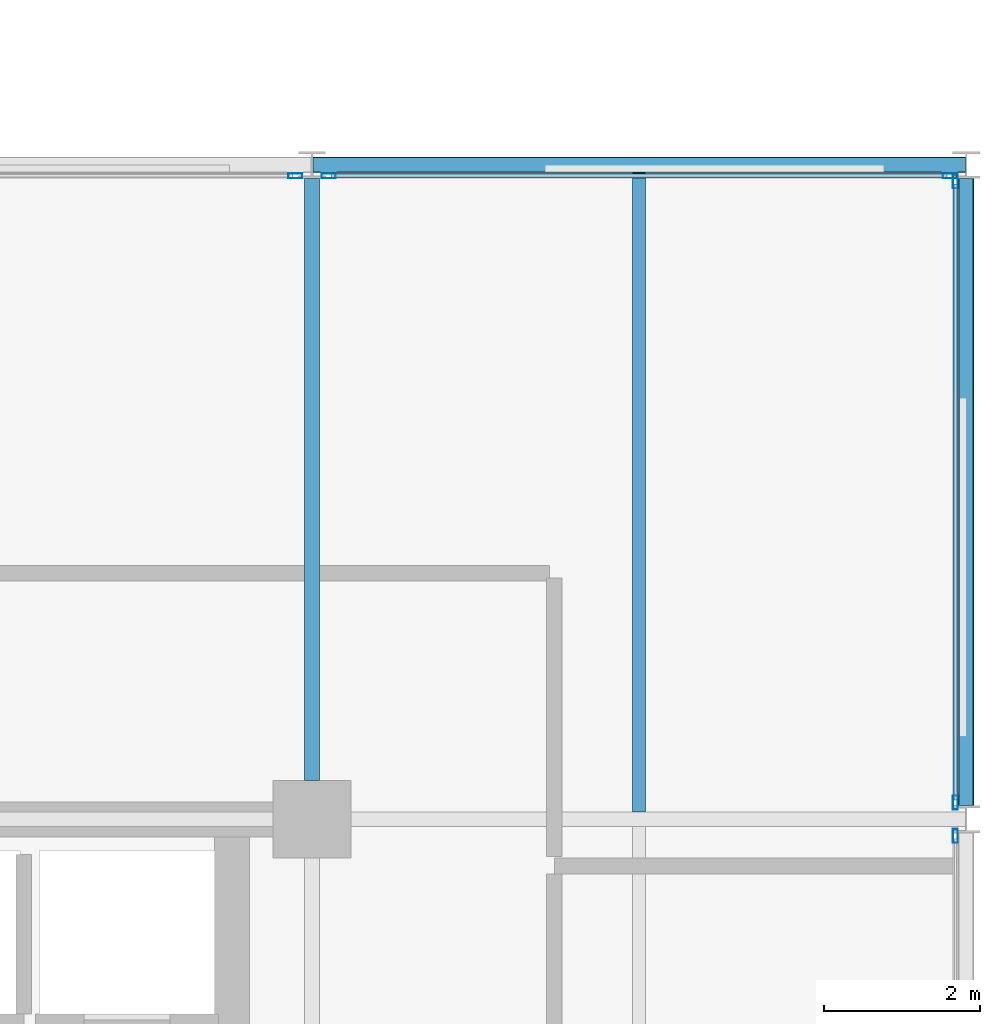
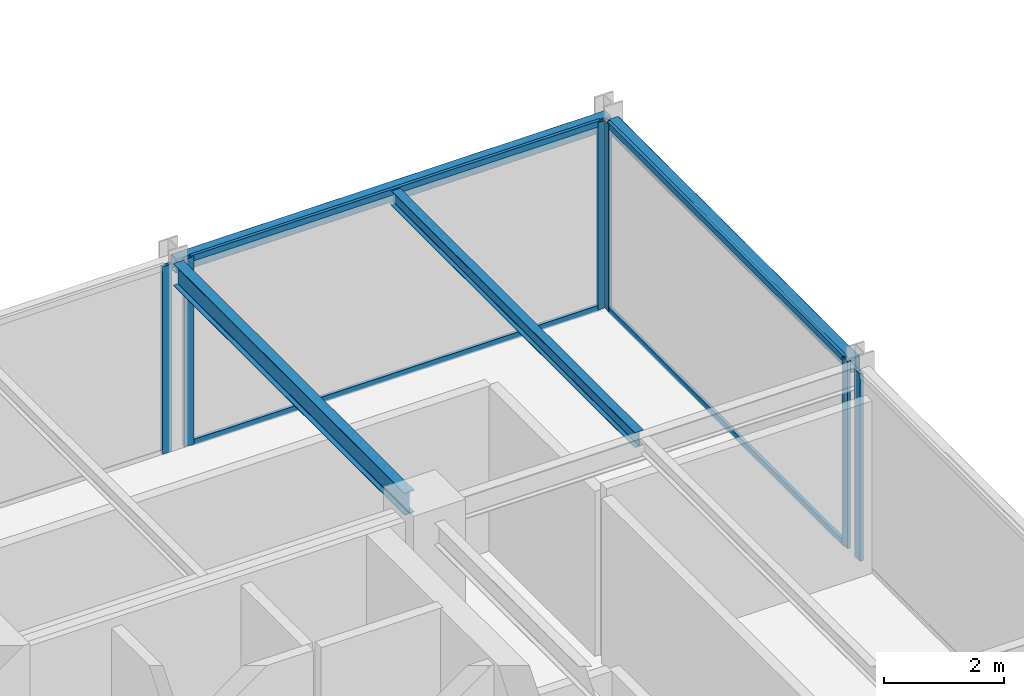
# One storey, part 15 of 25: 10 members, 4 beams, 4 elements without a shape of their own.
"""IFC4 building model written with IfcOpenShell, lengths in metres."""

from ifc_helpers import new_model, si_unit, direction, frame, origin, origin_2d, place, context, subcontext, project, spatial, hollow_rectangle, i_section, extrude, material, layer, layer_set, material_profile, profile_set, type_object, element, aggregate, save


model = new_model("IFC4")

# Units and contexts
model_context = context("Model", 3, precision=1e-05, world=origin(), true_north=direction((0.0, 1.0)))
body_context = subcontext(model_context, "Body", "Model", "MODEL_VIEW")
ifc_project = project(units=[si_unit("LENGTHUNIT", "METRE"), si_unit("AREAUNIT", "SQUARE_METRE"), si_unit("VOLUMEUNIT", "CUBIC_METRE"), si_unit("PLANEANGLEUNIT", "RADIAN"), si_unit("MASSUNIT", "GRAM", prefix="KILO")], contexts=[model_context])

# Site, building, storey
site_placement = place(None, origin())
site = spatial("IfcSite", under=ifc_project, at=site_placement, CompositionType="ELEMENT")
building_placement = place(site_placement, origin())
building = spatial("IfcBuilding", under=site, at=building_placement, Name="Nerrivon Quay Data Exchange", CompositionType="ELEMENT")
storey_placement = place(building_placement, frame((0.0, 0.0, 224.699951171875)))
storey = spatial("IfcBuildingStorey", under=building, at=storey_placement, Name="L53", CompositionType="ELEMENT", Elevation=224.699951171875)

# Beams
ifc_material_1 = material(Name="Steel Grade 350", Category="steel")
ifc_material_profile_1 = material_profile(ifc_material_1, i_section(OverallWidth=0.18994140625, OverallDepth=0.4541015625, WebThickness=0.008544921875, FlangeThickness=0.0126953125, FilletRadius=0.011474609375, at=origin_2d()), Name="460UB67.1")
ifc_profile_set_1 = profile_set([ifc_material_profile_1], Name="Steel Grade 350")
beam_type_1 = type_object("IfcBeamType", Name="BM-G6-460UB67", PredefinedType="BEAM", material=ifc_profile_set_1)
beam_1_placement = place(storey_placement, frame((33.60009765625, 17.300048828125, 3.59814453125), z_axis=(0.0, 1.0, 0.0), x_axis=(-1.0, 0.0, 0.0)))
element("IfcBeam", 1, at=beam_1_placement, inside=storey, type_object=beam_type_1, Name="L53 NS Girder X=33.6 (16.8..25.2)", PredefinedType="BEAM", context=body_context, shape_type="SweptSolid", body=[
    extrude(i_section(OverallWidth=0.18994140625, OverallDepth=0.4541015625, WebThickness=0.008544921875, FlangeThickness=0.0126953125, FilletRadius=0.011474609375, at=origin_2d()), origin(), (0.0, 0.0, 1.0), 7.724853515625),
])
ifc_material_profile_2 = material_profile(ifc_material_1, i_section(OverallWidth=0.166015625, OverallDepth=0.306884765625, WebThickness=0.006591796875, FlangeThickness=0.01171875, FilletRadius=0.011474609375, at=origin_2d()), Name="310UB46.2")
ifc_profile_set_2 = profile_set([ifc_material_profile_2], Name="Steel Grade 350")
beam_type_2 = type_object("IfcBeamType", Name="BM-J5-310UB46", PredefinedType="JOIST", material=ifc_profile_set_2)
beam_2_placement = place(storey_placement, frame((37.800048828125, 16.8955078125, 3.671630859375), z_axis=(0.0, 1.0, 0.0), x_axis=(-1.0, 0.0, 0.0)))
element("IfcBeam", 2, at=beam_2_placement, inside=storey, type_object=beam_type_2, Name="L53 Secondary Joist X=37.8 (16.8..25.2)", PredefinedType="JOIST", context=body_context, shape_type="SweptSolid", body=[
    extrude(i_section(OverallWidth=0.166015625, OverallDepth=0.306884765625, WebThickness=0.006591796875, FlangeThickness=0.01171875, FilletRadius=0.011474609375, at=origin_2d()), origin(), (0.0, 0.0, 1.0), 8.20458984375),
])
ifc_material_2 = material(Name="Steel Grade C350L0 (350 MPa)", Category="steel")
ifc_material_profile_3 = material_profile(ifc_material_2, hollow_rectangle(XDim=0.199951171875, YDim=0.300048828125, WallThickness=0.012451171875, InnerFilletRadius=0.018798828125, OuterFilletRadius=0.03125, at=origin_2d()), Name="300x200x12.5RHS")
ifc_profile_set_3 = profile_set([ifc_material_profile_3], Name="Steel Grade C350L0 (350 MPa)")
beam_type_3 = type_object("IfcBeamType", Name="BM-SP3-300x200RHS", PredefinedType="SPANDREL", material=ifc_profile_set_3)
beam_3_placement = place(storey_placement, frame((33.610107421875, 25.199951171875, 3.675048828125), z_axis=(1.0, 0.0, 0.0), x_axis=(0.0, 1.0, 0.0)))
element("IfcBeam", 3, at=beam_3_placement, inside=storey, type_object=beam_type_3, Name="L53 EW Girder Y=25.2 (33.6..42.0)", PredefinedType="SPANDREL", context=body_context, shape_type="SweptSolid", body=[
    extrude(hollow_rectangle(XDim=0.199951171875, YDim=0.300048828125, WallThickness=0.012451171875, InnerFilletRadius=0.018798828125, OuterFilletRadius=0.03125, at=origin_2d()), origin(), (0.0, 0.0, 1.0), 8.3798828125),
])
beam_4_placement = place(storey_placement, frame((42.0, 16.97509765625, 3.675048828125), z_axis=(0.0, 1.0, 0.0), x_axis=(-1.0, 0.0, 0.0)))
element("IfcBeam", 4, at=beam_4_placement, inside=storey, type_object=beam_type_3, Name="L53 NS Girder X=42.0 (16.8..25.2)", PredefinedType="SPANDREL", context=body_context, shape_type="SweptSolid", body=[
    extrude(hollow_rectangle(XDim=0.199951171875, YDim=0.300048828125, WallThickness=0.012451171875, InnerFilletRadius=0.018798828125, OuterFilletRadius=0.03125, at=origin_2d()), origin(), (0.0, 0.0, 1.0), 8.0498046875),
])

# Curtain wall, member
ifc_material_3 = material(Name="Anodised aluminium 6063-T6", Category="aluminium")
ifc_layer = layer(ifc_material_3, 0.195068359375)
ifc_layer_set = layer_set([ifc_layer], Name="Anodised aluminium 6063-T6")
curtain_wall_type = type_object("IfcCurtainWallType", Name="CW-SYS-06", PredefinedType="NOTDEFINED", material=ifc_layer_set)
curtain_wall_1_placement = place(storey_placement, origin())
curtain_wall_1 = element("IfcCurtainWall", 5, at=curtain_wall_1_placement, inside=storey, type_object=curtain_wall_type, Name="L53 Unitised Curtain Wall 24", PredefinedType="NOTDEFINED")
ifc_material_profile_4 = material_profile(ifc_material_3, hollow_rectangle(XDim=0.06494140625, YDim=0.179931640625, WallThickness=0.00341796875, at=origin_2d()), Name="ALU-MULL-180x65")
ifc_profile_set_4 = profile_set([ifc_material_profile_4], Name="Anodised aluminium 6063-T6")
member_type_1 = type_object("IfcMemberType", Name="CWM-180x65", PredefinedType="MULLION", material=ifc_profile_set_4)
member_1_placement = place(storey_placement, frame((33.387451171875, 25.06005859375, 0.0), z_axis=(0.0, 0.0, 1.0), x_axis=(0.0, 1.0, 0.0)))
member_1 = element("IfcMember", 6, at=member_1_placement, type_object=member_type_1, Name="CW06 mullion 2", PredefinedType="MULLION", context=body_context, shape_type="SweptSolid", body=[
    extrude(hollow_rectangle(XDim=0.06494140625, YDim=0.179931640625, WallThickness=0.00341796875, at=origin_2d()), origin(), (0.0, 0.0, 1.0), 3.824951171875),
])
aggregate(curtain_wall_1, [member_1])

# Curtain wall, members
curtain_wall_2_placement = place(storey_placement, origin())
curtain_wall_2 = element("IfcCurtainWall", 7, at=curtain_wall_2_placement, inside=storey, type_object=curtain_wall_type, Name="L53 Unitised Curtain Wall 25", PredefinedType="NOTDEFINED")
member_2_placement = place(storey_placement, frame((33.8125, 25.06005859375, 0.0), z_axis=(0.0, 0.0, 1.0), x_axis=(0.0, 1.0, 0.0)))
member_2 = element("IfcMember", 8, at=member_2_placement, type_object=member_type_1, Name="CW06 mullion 1", PredefinedType="MULLION", context=body_context, shape_type="SweptSolid", body=[
    extrude(hollow_rectangle(XDim=0.06494140625, YDim=0.179931640625, WallThickness=0.00341796875, at=origin_2d()), origin(), (0.0, 0.0, 1.0), 3.824951171875),
])
member_3_placement = place(storey_placement, frame((41.78759765625, 25.06005859375, 0.0), z_axis=(0.0, 0.0, 1.0), x_axis=(0.0, 1.0, 0.0)))
member_3 = element("IfcMember", 9, at=member_3_placement, type_object=member_type_1, Name="CW06 mullion 2", PredefinedType="MULLION", context=body_context, shape_type="SweptSolid", body=[
    extrude(hollow_rectangle(XDim=0.06494140625, YDim=0.179931640625, WallThickness=0.00341796875, at=origin_2d()), origin(), (0.0, 0.0, 1.0), 3.824951171875),
])

curtain_wall_3_placement = place(storey_placement, origin())
curtain_wall_3 = element("IfcCurtainWall", 10, at=curtain_wall_3_placement, inside=storey, type_object=curtain_wall_type, Name="L53 Unitised Curtain Wall 26", PredefinedType="NOTDEFINED")
member_4_placement = place(storey_placement, frame((41.860107421875, 24.987548828125, 0.0), z_axis=(0.0, 0.0, 1.0), x_axis=(1.0, 0.0, 0.0)))
member_4 = element("IfcMember", 11, at=member_4_placement, type_object=member_type_1, Name="CW06 mullion 1", PredefinedType="MULLION", context=body_context, shape_type="SweptSolid", body=[
    extrude(hollow_rectangle(XDim=0.06494140625, YDim=0.179931640625, WallThickness=0.00341796875, at=origin_2d()), origin(), (0.0, 0.0, 1.0), 3.824951171875),
])
member_5_placement = place(storey_placement, frame((41.860107421875, 17.012451171875, 0.0), z_axis=(0.0, 0.0, 1.0), x_axis=(1.0, 0.0, 0.0)))
member_5 = element("IfcMember", 12, at=member_5_placement, type_object=member_type_1, Name="CW06 mullion 2", PredefinedType="MULLION", context=body_context, shape_type="SweptSolid", body=[
    extrude(hollow_rectangle(XDim=0.06494140625, YDim=0.179931640625, WallThickness=0.00341796875, at=origin_2d()), origin(), (0.0, 0.0, 1.0), 3.824951171875),
])

# Curtain wall, member
curtain_wall_4_placement = place(storey_placement, origin())
curtain_wall_4 = element("IfcCurtainWall", 13, at=curtain_wall_4_placement, inside=storey, type_object=curtain_wall_type, Name="L53 Unitised Curtain Wall 27", PredefinedType="NOTDEFINED")
member_6_placement = place(storey_placement, frame((41.860107421875, 16.58740234375, 0.0), z_axis=(0.0, 0.0, 1.0), x_axis=(1.0, 0.0, 0.0)))
member_6 = element("IfcMember", 14, at=member_6_placement, type_object=member_type_1, Name="CW06 mullion 1", PredefinedType="MULLION", context=body_context, shape_type="SweptSolid", body=[
    extrude(hollow_rectangle(XDim=0.06494140625, YDim=0.179931640625, WallThickness=0.00341796875, at=origin_2d()), origin(), (0.0, 0.0, 1.0), 3.824951171875),
])
aggregate(curtain_wall_4, [member_6])

# Member
ifc_material_profile_5 = material_profile(ifc_material_3, hollow_rectangle(XDim=0.06005859375, YDim=0.1201171875, WallThickness=0.003173828125, at=origin_2d()), Name="ALU-TRAN-120x60")
ifc_profile_set_5 = profile_set([ifc_material_profile_5], Name="Anodised aluminium 6063-T6")
member_type_2 = type_object("IfcMemberType", Name="CWT-120x60", PredefinedType="USERDEFINED", material=ifc_profile_set_5)
member_7_placement = place(storey_placement, frame((33.85009765625, 25.06005859375, 0.032470703125), z_axis=(1.0, 0.0, 0.0), x_axis=(0.0, 1.0, 0.0)))
member_7 = element("IfcMember", 15, at=member_7_placement, type_object=member_type_2, Name="CW06 transom 1.1", ObjectType="TRANSOM", PredefinedType="USERDEFINED", context=body_context, shape_type="SweptSolid", body=[
    extrude(hollow_rectangle(XDim=0.06005859375, YDim=0.1201171875, WallThickness=0.003173828125, at=origin_2d()), origin(), (0.0, 0.0, 1.0), 7.89990234375),
])

member_8_placement = place(storey_placement, frame((33.85009765625, 25.06005859375, 3.79248046875), z_axis=(1.0, 0.0, 0.0), x_axis=(0.0, 1.0, 0.0)))
member_8 = element("IfcMember", 16, at=member_8_placement, type_object=member_type_2, Name="CW06 transom 1.2", ObjectType="TRANSOM", PredefinedType="USERDEFINED", context=body_context, shape_type="SweptSolid", body=[
    extrude(hollow_rectangle(XDim=0.06005859375, YDim=0.1201171875, WallThickness=0.003173828125, at=origin_2d()), origin(), (0.0, 0.0, 1.0), 7.89990234375),
])

aggregate(curtain_wall_2, [member_2, member_3, member_7, member_8])

member_9_placement = place(storey_placement, frame((41.860107421875, 24.949951171875, 0.032470703125), z_axis=(0.0, -1.0, 0.0), x_axis=(1.0, 0.0, 0.0)))
member_9 = element("IfcMember", 17, at=member_9_placement, type_object=member_type_2, Name="CW06 transom 1.1", ObjectType="TRANSOM", PredefinedType="USERDEFINED", context=body_context, shape_type="SweptSolid", body=[
    extrude(hollow_rectangle(XDim=0.06005859375, YDim=0.1201171875, WallThickness=0.003173828125, at=origin_2d()), origin(), (0.0, 0.0, 1.0), 7.89990234375),
])

member_10_placement = place(storey_placement, frame((41.860107421875, 24.949951171875, 3.79248046875), z_axis=(0.0, -1.0, 0.0), x_axis=(1.0, 0.0, 0.0)))
member_10 = element("IfcMember", 18, at=member_10_placement, type_object=member_type_2, Name="CW06 transom 1.2", ObjectType="TRANSOM", PredefinedType="USERDEFINED", context=body_context, shape_type="SweptSolid", body=[
    extrude(hollow_rectangle(XDim=0.06005859375, YDim=0.1201171875, WallThickness=0.003173828125, at=origin_2d()), origin(), (0.0, 0.0, 1.0), 7.89990234375),
])

aggregate(curtain_wall_3, [member_4, member_5, member_9, member_10])

save(model, "model.ifc")
